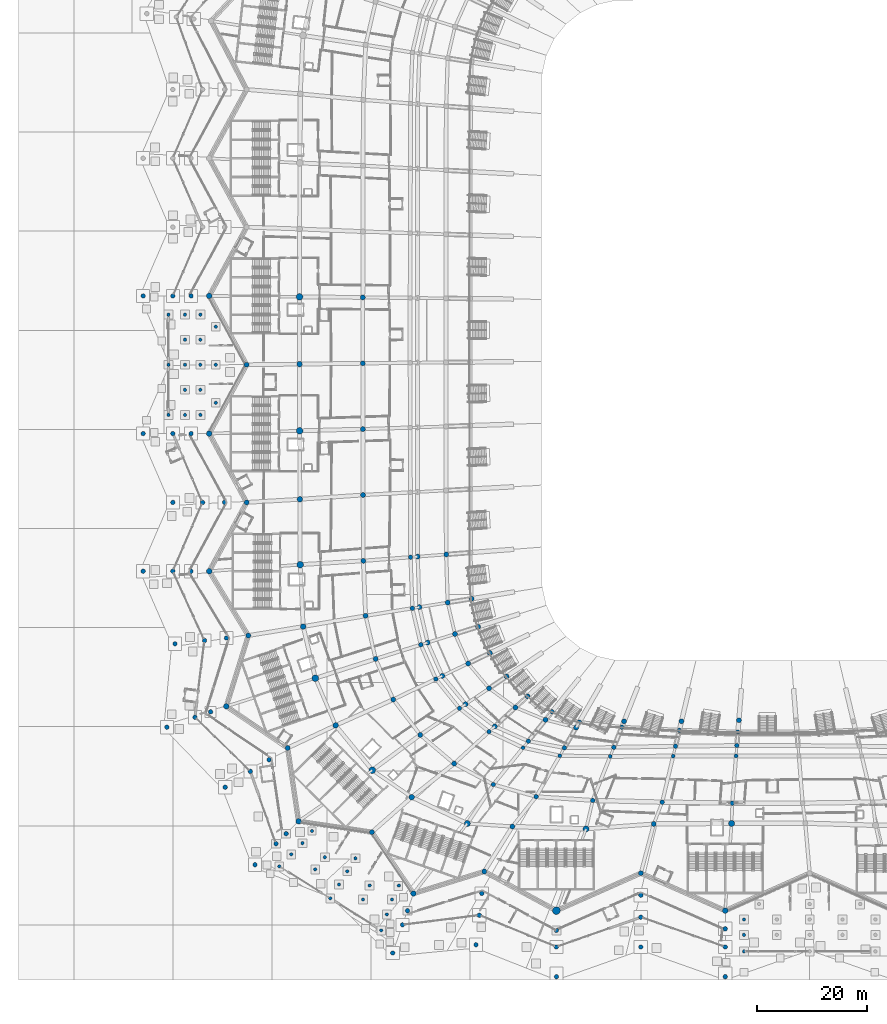
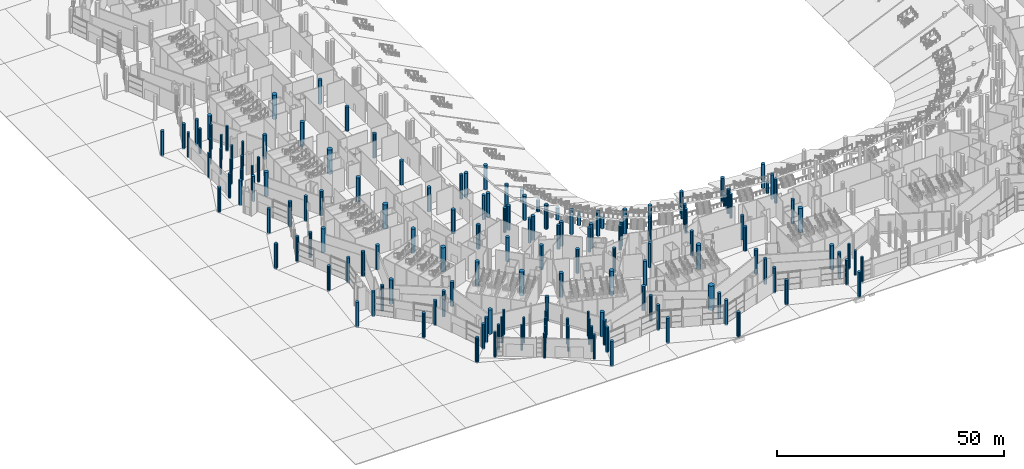
# One storey, part 10 of 255: 162 columns.
"""IFC4 building model written with IfcOpenShell, lengths in metres."""

from ifc_helpers import new_model, si_unit, direction, frame, origin, origin_2d, place, context, subcontext, project, spatial, circle, extrude, material, material_profile, profile_set, type_object, element, save


model = new_model("IFC4")

# Units and contexts
model_context = context("Model", 3, precision=1e-05, world=origin(), true_north=direction((0.0, 1.0)))
body_context = subcontext(model_context, "Body", "Model", "MODEL_VIEW")
ifc_project = project(units=[si_unit("LENGTHUNIT", "METRE"), si_unit("AREAUNIT", "SQUARE_METRE"), si_unit("VOLUMEUNIT", "CUBIC_METRE"), si_unit("PLANEANGLEUNIT", "RADIAN"), si_unit("MASSUNIT", "GRAM", prefix="KILO")], contexts=[model_context])

# Site, building, storey
site_placement = place(None, origin())
site = spatial("IfcSite", under=ifc_project, at=site_placement, CompositionType="ELEMENT")
building_placement = place(site_placement, origin())
building = spatial("IfcBuilding", under=site, at=building_placement, Name="Meseta Stadium", CompositionType="ELEMENT")
storey_placement = place(building_placement, origin())
storey = spatial("IfcBuildingStorey", under=building, at=storey_placement, Name="L00", CompositionType="ELEMENT", Elevation=0.0)

# Columns
ifc_material_1 = material(Name="Concrete C40/50", Category="concrete")
ifc_material_profile_1 = material_profile(ifc_material_1, circle(Radius=0.300048828125, at=origin_2d()), Name="RC D600")
ifc_profile_set_1 = profile_set([ifc_material_profile_1], Name="Concrete C40/50")
column_type_1 = type_object("IfcColumnType", Name="Gate column D600", PredefinedType="COLUMN", material=ifc_profile_set_1)
for number, where, z_axis, x_axis, name in (
    (1, (-100.199951171875, 0.66748046875, -0.300048828125), (0.0, 0.0, 1.0), (1.0, 0.0, 0.0), "Gate 5 column L00"),
    (2, (-100.199951171875, -6.25, -0.300048828125), (0.0, 0.0, 1.0), (1.0, 0.0, 0.0), "Gate 5 column L00"),
    (3, (-100.199951171875, -13.16748046875, -0.300048828125), (0.0, 0.0, 1.0), (1.0, 0.0, 0.0), "Gate 5 column L00"),
    (4, (-103.0, 2.85009765625, -0.300048828125), (0.0, 0.0, 1.0), (1.0, 0.0, 0.0), "Gate 5 column L00"),
    (5, (-103.0, -1.699951171875, -0.300048828125), (0.0, 0.0, 1.0), (1.0, 0.0, 0.0), "Gate 5 column L00"),
    (6, (-103.0, -6.25, -0.300048828125), (0.0, 0.0, 1.0), (1.0, 0.0, 0.0), "Gate 5 column L00"),
    (7, (-103.0, -10.800048828125, -0.300048828125), (0.0, 0.0, 1.0), (1.0, 0.0, 0.0), "Gate 5 column L00"),
    (8, (-103.0, -15.35009765625, -0.300048828125), (0.0, 0.0, 1.0), (1.0, 0.0, 0.0), "Gate 5 column L00"),
    (9, (-105.800048828125, 2.85009765625, -0.300048828125), (0.0, 0.0, 1.0), (1.0, 0.0, 0.0), "Gate 5 column L00"),
    (10, (-105.800048828125, -1.699951171875, -0.300048828125), (0.0, 0.0, 1.0), (1.0, 0.0, 0.0), "Gate 5 column L00"),
    (11, (-105.800048828125, -6.25, -0.300048828125), (0.0, 0.0, 1.0), (1.0, 0.0, 0.0), "Gate 5 column L00"),
    (12, (-105.800048828125, -10.800048828125, -0.300048828125), (0.0, 0.0, 1.0), (1.0, 0.0, 0.0), "Gate 5 column L00"),
    (13, (-105.800048828125, -15.35009765625, -0.300048828125), (0.0, 0.0, 1.0), (1.0, 0.0, 0.0), "Gate 5 column L00"),
    (14, (-108.800048828125, 2.85009765625, -0.300048828125), (0.0, 0.0, 1.0), (1.0, 0.0, 0.0), "Gate 5 column L00"),
    (15, (-108.800048828125, -6.25, -0.300048828125), (0.0, 0.0, 1.0), (1.0, 0.0, 0.0), "Gate 5 column L00"),
    (16, (-108.800048828125, -15.35009765625, -0.300048828125), (0.0, 0.0, 1.0), (1.0, 0.0, 0.0), "Gate 5 column L00"),
    (17, (-82.719482421875, -90.93896484375, -0.300048828125), (0.0, 0.0, 1.0), (1.0, 0.0, 0.0), "Gate 6 column L00"),
    (18, (-74.836181640625, -95.892578125, -0.300048828125), (0.0, 0.0, 1.0), (1.0, 0.0, 0.0), "Gate 6 column L00"),
    (19, (-66.952880859375, -100.845947265625, -0.300048828125), (0.0, 0.0, 1.0), (1.0, 0.0, 0.0), "Gate 6 column L00"),
    (20, (-84.462646484375, -93.150390625, -0.300048828125), (0.0, 0.0, 1.0), (1.0, 0.0, 0.0), "Gate 6 column L00"),
    (21, (-80.394287109375, -95.706787109375, -0.300048828125), (0.0, 0.0, 1.0), (1.0, 0.0, 0.0), "Gate 6 column L00"),
    (22, (-76.32568359375, -98.26318359375, -0.300048828125), (0.0, 0.0, 1.0), (1.0, 0.0, 0.0), "Gate 6 column L00"),
    (23, (-72.25732421875, -100.819580078125, -0.300048828125), (0.0, 0.0, 1.0), (1.0, 0.0, 0.0), "Gate 6 column L00"),
    (24, (-68.18896484375, -103.3759765625, -0.300048828125), (0.0, 0.0, 1.0), (1.0, 0.0, 0.0), "Gate 6 column L00"),
    (25, (-86.49365234375, -95.181396484375, -0.300048828125), (0.0, 0.0, 1.0), (1.0, 0.0, 0.0), "Gate 6 column L00"),
    (26, (-82.154541015625, -97.90771484375, -0.300048828125), (0.0, 0.0, 1.0), (1.0, 0.0, 0.0), "Gate 6 column L00"),
    (27, (-77.8154296875, -100.634033203125, -0.300048828125), (0.0, 0.0, 1.0), (1.0, 0.0, 0.0), "Gate 6 column L00"),
    (28, (-73.4765625, -103.360595703125, -0.300048828125), (0.0, 0.0, 1.0), (1.0, 0.0, 0.0), "Gate 6 column L00"),
    (29, (-69.137451171875, -106.0869140625, -0.300048828125), (0.0, 0.0, 1.0), (1.0, 0.0, 0.0), "Gate 6 column L00"),
    (30, (-88.66943359375, -97.357177734375, -0.300048828125), (0.0, 0.0, 1.0), (1.0, 0.0, 0.0), "Gate 6 column L00"),
    (31, (-79.41162109375, -103.17431640625, -0.300048828125), (0.0, 0.0, 1.0), (1.0, 0.0, 0.0), "Gate 6 column L00"),
    (32, (-70.15380859375, -108.991455078125, -0.300048828125), (0.0, 0.0, 1.0), (1.0, 0.0, 0.0), "Gate 6 column L00"),
    (33, (-4.2666015625, -107.0, -0.300048828125), (0.0, 0.0, 1.0), (1.0, 0.0, 0.0), "Gate 7 column L00"),
    (34, (-4.2666015625, -109.800048828125, -0.300048828125), (0.0, 0.0, 1.0), (1.0, 0.0, 0.0), "Gate 7 column L00"),
    (35, (-4.2666015625, -112.800048828125, -0.300048828125), (0.0, 0.0, 1.0), (1.0, 0.0, 0.0), "Gate 7 column L00"),
):
    element("IfcColumn", number, at=place(storey_placement, frame(where, z_axis=z_axis, x_axis=x_axis)), inside=storey, type_object=column_type_1, Name=name, PredefinedType="COLUMN", context=body_context, shape_type="SweptSolid", body=[
        extrude(circle(Radius=0.300048828125, at=origin_2d()), origin(), (0.0, 0.0, 1.0), 6.800048828125),
    ])
ifc_material_2 = material(Name="Concrete C40/50", Category="concrete")
ifc_material_profile_2 = material_profile(ifc_material_2, circle(Radius=0.5, at=origin_2d()), Name="RC D1000")
ifc_profile_set_2 = profile_set([ifc_material_profile_2], Name="Concrete C40/50")
column_type_2 = type_object("IfcColumnType", Name="RC column D1000", PredefinedType="COLUMN", material=ifc_profile_set_2)
for number, where, z_axis, x_axis, name in (
    (36, (-101.39990234375, 6.25, 0.0), (0.0, 0.0, 1.0), (1.0, 0.0, 0.0), "Column C10 L00 frame 32 line R"),
    (37, (-84.9970703125, -6.13720703125, 0.0), (0.0, 0.0, 1.0), (1.0, 0.0, 0.0), "Column C10 L00 frame 33 line P"),
    (38, (-101.39990234375, -18.75, 0.0), (0.0, 0.0, 1.0), (1.0, 0.0, 0.0), "Column C10 L00 frame 34 line R"),
    (39, (-84.92529296875, -30.681640625, 0.0), (0.0, 0.0, 1.0), (1.0, 0.0, 0.0), "Column C10 L00 frame 35 line P"),
    (40, (-101.39990234375, -43.75, 0.0), (0.0, 0.0, 1.0), (1.0, 0.0, 0.0), "Column C10 L00 frame 36 line R"),
    (41, (-84.3251953125, -53.801513671875, 0.0), (0.0, 0.0, 1.0), (1.0, 0.0, 0.0), "Column C10 L00 frame 37 line P"),
    (42, (-98.291015625, -68.29736328125, 0.0), (0.0, 0.0, 1.0), (1.0, 0.0, 0.0), "Column C10 L00 frame 38 line R"),
    (43, (-78.4453125, -71.756103515625, 0.0), (0.0, 0.0, 1.0), (1.0, 0.0, 0.0), "Column C10 L00 frame 39 line P"),
    (44, (-85.173828125, -89.173828125, 0.0), (0.0, 0.0, 1.0), (1.0, 0.0, 0.0), "Column C10 L00 frame 40 line R"),
    (45, (-64.6220703125, -84.79248046875, 0.0), (0.0, 0.0, 1.0), (1.0, 0.0, 0.0), "Column C10 L00 frame 41 line P"),
    (46, (-64.29736328125, -102.291015625, 0.0), (0.0, 0.0, 1.0), (1.0, 0.0, 0.0), "Column C10 L00 frame 42 line R"),
    (47, (-7.666748046875, -105.39990234375, 0.0), (0.0, 0.0, 1.0), (1.0, 0.0, 0.0), "Column C10 L00 frame 46 line R"),
):
    element("IfcColumn", number, at=place(storey_placement, frame(where, z_axis=z_axis, x_axis=x_axis)), inside=storey, type_object=column_type_2, Name=name, PredefinedType="COLUMN", context=body_context, shape_type="SweptSolid", body=[
        extrude(circle(Radius=0.5, at=origin_2d()), origin(), (0.0, 0.0, 1.0), 6.5),
    ])
ifc_material_3 = material(Name="Concrete C40/50", Category="concrete")
ifc_material_profile_3 = material_profile(ifc_material_3, circle(Radius=0.550048828125, at=origin_2d()), Name="RC D1100")
ifc_profile_set_3 = profile_set([ifc_material_profile_3], Name="Concrete C40/50")
column_type_3 = type_object("IfcColumnType", Name="RC column D1100", PredefinedType="COLUMN", material=ifc_profile_set_3)
for number, where, z_axis, x_axis, name in (
    (48, (-54.523193359375, -89.579345703125, 0.0), (0.0, 0.0, 1.0), (1.0, 0.0, 0.0), "Column C11 L00 frame 42 line P"),
    (49, (-32.944091796875, -90.551025390625, 0.0), (0.0, 0.0, 1.0), (1.0, 0.0, 0.0), "Column C11 L00 frame 44 line P"),
    (50, (-6.51708984375, -89.54638671875, 0.0), (0.0, 0.0, 1.0), (1.0, 0.0, 0.0), "Column C11 L00 frame 46 line P"),
):
    element("IfcColumn", number, at=place(storey_placement, frame(where, z_axis=z_axis, x_axis=x_axis)), inside=storey, type_object=column_type_3, Name=name, PredefinedType="COLUMN", context=body_context, shape_type="SweptSolid", body=[
        extrude(circle(Radius=0.550048828125, at=origin_2d()), origin(), (0.0, 0.0, 1.0), 6.5),
    ])
ifc_material_4 = material(Name="Concrete C40/50", Category="concrete")
ifc_material_profile_4 = material_profile(ifc_material_4, circle(Radius=0.60009765625, at=origin_2d()), Name="RC D1200")
ifc_profile_set_4 = profile_set([ifc_material_profile_4], Name="Concrete C40/50")
column_type_4 = type_object("IfcColumnType", Name="RC column D1200", PredefinedType="COLUMN", material=ifc_profile_set_4)
for number, where, z_axis, x_axis, name in (
    (51, (-84.99755859375, 6.081298828125, 0.0), (0.0, 0.0, 1.0), (1.0, 0.0, 0.0), "Column C12 L00 frame 32 line P"),
    (52, (-84.978515625, -18.24365234375, 0.0), (0.0, 0.0, 1.0), (1.0, 0.0, 0.0), "Column C12 L00 frame 34 line P"),
    (53, (-84.884033203125, -42.5615234375, 0.0), (0.0, 0.0, 1.0), (1.0, 0.0, 0.0), "Column C12 L00 frame 36 line P"),
    (54, (-82.119873046875, -63.191162109375, 0.0), (0.0, 0.0, 1.0), (1.0, 0.0, 0.0), "Column C12 L00 frame 38 line P"),
    (55, (-71.775390625, -79.888916015625, 0.0), (0.0, 0.0, 1.0), (1.0, 0.0, 0.0), "Column C12 L00 frame 40 line P"),
):
    element("IfcColumn", number, at=place(storey_placement, frame(where, z_axis=z_axis, x_axis=x_axis)), inside=storey, type_object=column_type_4, Name=name, PredefinedType="COLUMN", context=body_context, shape_type="SweptSolid", body=[
        extrude(circle(Radius=0.60009765625, at=origin_2d()), origin(), (0.0, 0.0, 1.0), 6.5),
    ])
ifc_material_5 = material(Name="Concrete C40/50", Category="concrete")
ifc_material_profile_5 = material_profile(ifc_material_5, circle(Radius=0.699951171875, at=origin_2d()), Name="RC D1400")
ifc_profile_set_5 = profile_set([ifc_material_profile_5], Name="Concrete C40/50")
column_type_5 = type_object("IfcColumnType", Name="RC column D1400", PredefinedType="COLUMN", material=ifc_profile_set_5)
column_1_placement = place(storey_placement, frame((-38.333251953125, -105.39990234375, 0.0), z_axis=(0.0, 0.0, 1.0), x_axis=(1.0, 0.0, 0.0)))
element("IfcColumn", 56, at=column_1_placement, inside=storey, type_object=column_type_5, Name="Column C14 L00 frame 44 line R", PredefinedType="COLUMN", context=body_context, shape_type="SweptSolid", body=[
    extrude(circle(Radius=0.699951171875, at=origin_2d()), origin(), (0.0, 0.0, 1.0), 6.5),
])
ifc_material_6 = material(Name="Concrete C40/50", Category="concrete")
ifc_material_profile_6 = material_profile(ifc_material_6, circle(Radius=0.35009765625, at=origin_2d()), Name="RC D700")
ifc_profile_set_6 = profile_set([ifc_material_profile_6], Name="Concrete C40/50")
column_type_6 = type_object("IfcColumnType", Name="RC column D700", PredefinedType="COLUMN", material=ifc_profile_set_6)
for number, where, z_axis, x_axis, name in (
    (57, (-44.39013671875, -75.806396484375, 0.0), (0.0, 0.0, 1.0), (1.0, 0.0, 0.0), "Column C7 L00 frame 42 line D"),
    (58, (-37.711669921875, -77.26171875, 0.0), (0.0, 0.0, 1.0), (1.0, 0.0, 0.0), "Column C7 L00 frame 43 line D"),
    (59, (-28.564697265625, -77.38330078125, 0.0), (0.0, 0.0, 1.0), (1.0, 0.0, 0.0), "Column C7 L00 frame 44 line D"),
    (60, (-17.126708984375, -77.33203125, 0.0), (0.0, 0.0, 1.0), (1.0, 0.0, 0.0), "Column C7 L00 frame 45 line D"),
    (61, (-5.70654296875, -77.3037109375, 0.0), (0.0, 0.0, 1.0), (1.0, 0.0, 0.0), "Column C7 L00 frame 46 line D"),
):
    element("IfcColumn", number, at=place(storey_placement, frame(where, z_axis=z_axis, x_axis=x_axis)), inside=storey, type_object=column_type_6, Name=name, PredefinedType="COLUMN", context=body_context, shape_type="SweptSolid", body=[
        extrude(circle(Radius=0.35009765625, at=origin_2d()), origin(), (0.0, 0.0, 1.0), 6.5),
    ])
ifc_material_7 = material(Name="Concrete C40/50", Category="concrete")
ifc_material_profile_7 = material_profile(ifc_material_7, circle(Radius=0.39990234375, at=origin_2d()), Name="RC D800")
ifc_profile_set_7 = profile_set([ifc_material_profile_7], Name="Concrete C40/50")
column_type_7 = type_object("IfcColumnType", Name="RC column D800", PredefinedType="COLUMN", material=ifc_profile_set_7)
for number, where, z_axis, x_axis, name in (
    (62, (-64.829833984375, -41.2041015625, 0.0), (0.0, 0.0, 1.0), (1.0, 0.0, 0.0), "Column C8 L00 frame 36 line D"),
    (63, (-64.501708984375, -50.479736328125, 0.0), (0.0, 0.0, 1.0), (1.0, 0.0, 0.0), "Column C8 L00 frame 37 line D"),
    (64, (-62.963623046875, -57.1044921875, 0.0), (0.0, 0.0, 1.0), (1.0, 0.0, 0.0), "Column C8 L00 frame 38 line D"),
    (65, (-60.22216796875, -63.33056640625, 0.0), (0.0, 0.0, 1.0), (1.0, 0.0, 0.0), "Column C8 L00 frame 39 line D"),
    (66, (-55.940185546875, -68.657958984375, 0.0), (0.0, 0.0, 1.0), (1.0, 0.0, 0.0), "Column C8 L00 frame 40 line D"),
    (67, (-50.571533203125, -72.888671875, 0.0), (0.0, 0.0, 1.0), (1.0, 0.0, 0.0), "Column C8 L00 frame 41 line D"),
):
    element("IfcColumn", number, at=place(storey_placement, frame(where, z_axis=z_axis, x_axis=x_axis)), inside=storey, type_object=column_type_7, Name=name, PredefinedType="COLUMN", context=body_context, shape_type="SweptSolid", body=[
        extrude(circle(Radius=0.39990234375, at=origin_2d()), origin(), (0.0, 0.0, 1.0), 6.5),
    ])
column_2_placement = place(storey_placement, frame((-39.11865234375, -69.274658203125, 0.0), z_axis=(0.0, 0.0, 1.0), x_axis=(1.0, 0.0, 0.0)))
element("IfcColumn", 68, at=column_2_placement, inside=storey, type_object=column_type_7, Name="Column C8 L00 frame 42 line B", PredefinedType="COLUMN", context=body_context, shape_type="SweptSolid", body=[
    extrude(circle(Radius=0.39990234375, at=origin_2d()), origin(), (0.0, 0.0, 1.0), 3.234130859375),
])
for number, where, z_axis, x_axis, name in (
    (69, (-43.430419921875, -74.617431640625, 0.0), (0.0, 0.0, 1.0), (1.0, 0.0, 0.0), "Column C8 L00 frame 42 line C"),
    (70, (-49.791259765625, -82.498779296875, 0.0), (0.0, 0.0, 1.0), (1.0, 0.0, 0.0), "Column C8 L00 frame 42 line E"),
):
    element("IfcColumn", number, at=place(storey_placement, frame(where, z_axis=z_axis, x_axis=x_axis)), inside=storey, type_object=column_type_7, Name=name, PredefinedType="COLUMN", context=body_context, shape_type="SweptSolid", body=[
        extrude(circle(Radius=0.39990234375, at=origin_2d()), origin(), (0.0, 0.0, 1.0), 6.5),
    ])
column_3_placement = place(storey_placement, frame((-34.185302734375, -71.16064453125, 0.0), z_axis=(0.0, 0.0, 1.0), x_axis=(1.0, 0.0, 0.0)))
element("IfcColumn", 71, at=column_3_placement, inside=storey, type_object=column_type_7, Name="Column C8 L00 frame 43 line B", PredefinedType="COLUMN", context=body_context, shape_type="SweptSolid", body=[
    extrude(circle(Radius=0.39990234375, at=origin_2d()), origin(), (0.0, 0.0, 1.0), 3.56884765625),
])
for number, where, z_axis, x_axis, name in (
    (72, (-36.8857421875, -75.8330078125, 0.0), (0.0, 0.0, 1.0), (1.0, 0.0, 0.0), "Column C8 L00 frame 43 line C"),
    (73, (-42.015625, -84.707275390625, 0.0), (0.0, 0.0, 1.0), (1.0, 0.0, 0.0), "Column C8 L00 frame 43 line E"),
):
    element("IfcColumn", number, at=place(storey_placement, frame(where, z_axis=z_axis, x_axis=x_axis)), inside=storey, type_object=column_type_7, Name=name, PredefinedType="COLUMN", context=body_context, shape_type="SweptSolid", body=[
        extrude(circle(Radius=0.39990234375, at=origin_2d()), origin(), (0.0, 0.0, 1.0), 6.5),
    ])
column_4_placement = place(storey_placement, frame((-26.461669921875, -72.08349609375, 0.0), z_axis=(0.0, 0.0, 1.0), x_axis=(1.0, 0.0, 0.0)))
element("IfcColumn", 74, at=column_4_placement, inside=storey, type_object=column_type_7, Name="Column C8 L00 frame 44 line B", PredefinedType="COLUMN", context=body_context, shape_type="SweptSolid", body=[
    extrude(circle(Radius=0.39990234375, at=origin_2d()), origin(), (0.0, 0.0, 1.0), 3.587646484375),
])
for number, where, z_axis, x_axis, name in (
    (75, (-27.910888671875, -75.735595703125, 0.0), (0.0, 0.0, 1.0), (1.0, 0.0, 0.0), "Column C8 L00 frame 44 line C"),
    (76, (-31.73681640625, -85.376708984375, 0.0), (0.0, 0.0, 1.0), (1.0, 0.0, 0.0), "Column C8 L00 frame 44 line E"),
):
    element("IfcColumn", number, at=place(storey_placement, frame(where, z_axis=z_axis, x_axis=x_axis)), inside=storey, type_object=column_type_7, Name=name, PredefinedType="COLUMN", context=body_context, shape_type="SweptSolid", body=[
        extrude(circle(Radius=0.39990234375, at=origin_2d()), origin(), (0.0, 0.0, 1.0), 6.5),
    ])
column_5_placement = place(storey_placement, frame((-16.010986328125, -72.646484375, 0.0), z_axis=(0.0, 0.0, 1.0), x_axis=(1.0, 0.0, 0.0)))
element("IfcColumn", 77, at=column_5_placement, inside=storey, type_object=column_type_7, Name="Column C8 L00 frame 45 line B", PredefinedType="COLUMN", context=body_context, shape_type="SweptSolid", body=[
    extrude(circle(Radius=0.39990234375, at=origin_2d()), origin(), (0.0, 0.0, 1.0), 3.262451171875),
])
for number, where, z_axis, x_axis, name in (
    (78, (-16.697509765625, -75.529541015625, 0.0), (0.0, 0.0, 1.0), (1.0, 0.0, 0.0), "Column C8 L00 frame 45 line C"),
    (79, (-19.11865234375, -85.6982421875, 0.0), (0.0, 0.0, 1.0), (1.0, 0.0, 0.0), "Column C8 L00 frame 45 line E"),
):
    element("IfcColumn", number, at=place(storey_placement, frame(where, z_axis=z_axis, x_axis=x_axis)), inside=storey, type_object=column_type_7, Name=name, PredefinedType="COLUMN", context=body_context, shape_type="SweptSolid", body=[
        extrude(circle(Radius=0.39990234375, at=origin_2d()), origin(), (0.0, 0.0, 1.0), 6.5),
    ])
column_6_placement = place(storey_placement, frame((-5.36181640625, -72.959228515625, 0.0), z_axis=(0.0, 0.0, 1.0), x_axis=(1.0, 0.0, 0.0)))
element("IfcColumn", 80, at=column_6_placement, inside=storey, type_object=column_type_7, Name="Column C8 L00 frame 46 line B", PredefinedType="COLUMN", context=body_context, shape_type="SweptSolid", body=[
    extrude(circle(Radius=0.39990234375, at=origin_2d()), origin(), (0.0, 0.0, 1.0), 2.91455078125),
])
for number, where, z_axis, x_axis, name in (
    (81, (-5.556640625, -75.4150390625, 0.0), (0.0, 0.0, 1.0), (1.0, 0.0, 0.0), "Column C8 L00 frame 46 line C"),
    (82, (-6.386962890625, -85.876708984375, 0.0), (0.0, 0.0, 1.0), (1.0, 0.0, 0.0), "Column C8 L00 frame 46 line E"),
):
    element("IfcColumn", number, at=place(storey_placement, frame(where, z_axis=z_axis, x_axis=x_axis)), inside=storey, type_object=column_type_7, Name=name, PredefinedType="COLUMN", context=body_context, shape_type="SweptSolid", body=[
        extrude(circle(Radius=0.39990234375, at=origin_2d()), origin(), (0.0, 0.0, 1.0), 6.5),
    ])
for number, where, z_axis, x_axis, name in (
    (83, (-104.699951171875, 6.25, -0.300048828125), (0.0, 0.0, 1.0), (1.0, 0.0, 0.0), "Ring column C8 L00 frame 32 line M"),
    (84, (-108.0, 6.25, -0.300048828125), (0.0, 0.0, 1.0), (1.0, 0.0, 0.0), "Ring column C8 L00 frame 32 line Q"),
    (85, (-113.39990234375, 6.25, -0.300048828125), (0.0, 0.0, 1.0), (1.0, 0.0, 0.0), "Ring column C8 L00 frame 32 line O"),
    (86, (-104.699951171875, -18.75, -0.300048828125), (0.0, 0.0, 1.0), (1.0, 0.0, 0.0), "Ring column C8 L00 frame 34 line M"),
    (87, (-108.0, -18.75, -0.300048828125), (0.0, 0.0, 1.0), (1.0, 0.0, 0.0), "Ring column C8 L00 frame 34 line Q"),
    (88, (-113.39990234375, -18.75, -0.300048828125), (0.0, 0.0, 1.0), (1.0, 0.0, 0.0), "Ring column C8 L00 frame 34 line O"),
    (89, (-98.60009765625, -31.25, -0.300048828125), (0.0, 0.0, 1.0), (1.0, 0.0, 0.0), "Ring column C8 L00 frame 35 line M"),
    (90, (-102.60009765625, -31.25, -0.300048828125), (0.0, 0.0, 1.0), (1.0, 0.0, 0.0), "Ring column C8 L00 frame 35 line Q"),
    (91, (-108.0, -31.25, -0.300048828125), (0.0, 0.0, 1.0), (1.0, 0.0, 0.0), "Ring column C8 L00 frame 35 line O"),
    (92, (-104.699951171875, -43.75, -0.300048828125), (0.0, 0.0, 1.0), (1.0, 0.0, 0.0), "Ring column C8 L00 frame 36 line M"),
    (93, (-108.0, -43.75, -0.300048828125), (0.0, 0.0, 1.0), (1.0, 0.0, 0.0), "Ring column C8 L00 frame 36 line Q"),
    (94, (-113.39990234375, -43.75, -0.300048828125), (0.0, 0.0, 1.0), (1.0, 0.0, 0.0), "Ring column C8 L00 frame 36 line O"),
    (95, (-98.269287109375, -55.889404296875, -0.300048828125), (0.0, 0.0, 1.0), (1.0, 0.0, 0.0), "Ring column C8 L00 frame 37 line M"),
    (96, (-102.244140625, -56.337158203125, -0.300048828125), (0.0, 0.0, 1.0), (1.0, 0.0, 0.0), "Ring column C8 L00 frame 37 line Q"),
    (97, (-107.610107421875, -56.94189453125, -0.300048828125), (0.0, 0.0, 1.0), (1.0, 0.0, 0.0), "Ring column C8 L00 frame 37 line O"),
    (98, (-101.140380859375, -69.29443359375, -0.300048828125), (0.0, 0.0, 1.0), (1.0, 0.0, 0.0), "Ring column C8 L00 frame 38 line M"),
    (99, (-103.989990234375, -70.29150390625, -0.300048828125), (0.0, 0.0, 1.0), (1.0, 0.0, 0.0), "Ring column C8 L00 frame 38 line Q"),
    (100, (-109.0869140625, -72.0751953125, -0.300048828125), (0.0, 0.0, 1.0), (1.0, 0.0, 0.0), "Ring column C8 L00 frame 38 line O"),
    (101, (-90.53759765625, -77.98486328125, -0.300048828125), (0.0, 0.0, 1.0), (1.0, 0.0, 0.0), "Ring column C8 L00 frame 39 line M"),
    (102, (-93.924560546875, -80.113037109375, -0.300048828125), (0.0, 0.0, 1.0), (1.0, 0.0, 0.0), "Ring column C8 L00 frame 39 line Q"),
    (103, (-98.496826171875, -82.986083984375, -0.300048828125), (0.0, 0.0, 1.0), (1.0, 0.0, 0.0), "Ring column C8 L00 frame 39 line O"),
    (104, (-87.426513671875, -91.426513671875, -0.300048828125), (0.0, 0.0, 1.0), (1.0, 0.0, 0.0), "Ring column C8 L00 frame 40 line M"),
    (105, (-89.2548828125, -93.2548828125, -0.300048828125), (0.0, 0.0, 1.0), (1.0, 0.0, 0.0), "Ring column C8 L00 frame 40 line Q"),
    (106, (-93.0732421875, -97.0732421875, -0.300048828125), (0.0, 0.0, 1.0), (1.0, 0.0, 0.0), "Ring column C8 L00 frame 40 line O"),
    (107, (-65.3935546875, -105.423583984375, -0.300048828125), (0.0, 0.0, 1.0), (1.0, 0.0, 0.0), "Ring column C8 L00 frame 42 line M"),
    (108, (-66.29150390625, -107.989990234375, -0.300048828125), (0.0, 0.0, 1.0), (1.0, 0.0, 0.0), "Ring column C8 L00 frame 42 line Q"),
    (109, (-68.0751953125, -113.0869140625, -0.300048828125), (0.0, 0.0, 1.0), (1.0, 0.0, 0.0), "Ring column C8 L00 frame 42 line O"),
    (110, (-51.889404296875, -102.269287109375, -0.300048828125), (0.0, 0.0, 1.0), (1.0, 0.0, 0.0), "Ring column C8 L00 frame 43 line M"),
    (111, (-52.337158203125, -106.244140625, -0.300048828125), (0.0, 0.0, 1.0), (1.0, 0.0, 0.0), "Ring column C8 L00 frame 43 line Q"),
    (112, (-52.94189453125, -111.610107421875, -0.300048828125), (0.0, 0.0, 1.0), (1.0, 0.0, 0.0), "Ring column C8 L00 frame 43 line O"),
    (113, (-38.333251953125, -109.0, -0.300048828125), (0.0, 0.0, 1.0), (1.0, 0.0, 0.0), "Ring column C8 L00 frame 44 line M"),
    (114, (-38.333251953125, -112.0, -0.300048828125), (0.0, 0.0, 1.0), (1.0, 0.0, 0.0), "Ring column C8 L00 frame 44 line Q"),
    (115, (-38.333251953125, -117.39990234375, -0.300048828125), (0.0, 0.0, 1.0), (1.0, 0.0, 0.0), "Ring column C8 L00 frame 44 line O"),
    (116, (-23.0, -102.60009765625, -0.300048828125), (0.0, 0.0, 1.0), (1.0, 0.0, 0.0), "Ring column C8 L00 frame 45 line M"),
    (117, (-23.0, -106.60009765625, -0.300048828125), (0.0, 0.0, 1.0), (1.0, 0.0, 0.0), "Ring column C8 L00 frame 45 line Q"),
    (118, (-23.0, -112.0, -0.300048828125), (0.0, 0.0, 1.0), (1.0, 0.0, 0.0), "Ring column C8 L00 frame 45 line O"),
    (119, (-7.666748046875, -108.699951171875, -0.300048828125), (0.0, 0.0, 1.0), (1.0, 0.0, 0.0), "Ring column C8 L00 frame 46 line M"),
    (120, (-7.666748046875, -112.0, -0.300048828125), (0.0, 0.0, 1.0), (1.0, 0.0, 0.0), "Ring column C8 L00 frame 46 line Q"),
    (121, (-7.666748046875, -117.39990234375, -0.300048828125), (0.0, 0.0, 1.0), (1.0, 0.0, 0.0), "Ring column C8 L00 frame 46 line O"),
):
    element("IfcColumn", number, at=place(storey_placement, frame(where, z_axis=z_axis, x_axis=x_axis)), inside=storey, type_object=column_type_7, Name=name, PredefinedType="COLUMN", context=body_context, shape_type="SweptSolid", body=[
        extrude(circle(Radius=0.39990234375, at=origin_2d()), origin(), (0.0, 0.0, 1.0), 6.800048828125),
    ])
ifc_material_8 = material(Name="Concrete C40/50", Category="concrete")
ifc_material_profile_8 = material_profile(ifc_material_8, circle(Radius=0.449951171875, at=origin_2d()), Name="RC D900")
ifc_profile_set_8 = profile_set([ifc_material_profile_8], Name="Concrete C40/50")
column_type_8 = type_object("IfcColumnType", Name="RC column D900", PredefinedType="COLUMN", material=ifc_profile_set_8)
for number, where, z_axis, x_axis, name in (
    (122, (-73.498046875, 5.9814453125, 0.0), (0.0, 0.0, 1.0), (1.0, 0.0, 0.0), "Column C9 L00 frame 32 line E"),
    (123, (-73.498046875, -5.9814453125, 0.0), (0.0, 0.0, 1.0), (1.0, 0.0, 0.0), "Column C9 L00 frame 33 line E"),
    (124, (-94.60009765625, -6.25, 0.0), (0.0, 0.0, 1.0), (1.0, 0.0, 0.0), "Column C9 L00 frame 33 line R"),
    (125, (-73.482421875, -17.943603515625, 0.0), (0.0, 0.0, 1.0), (1.0, 0.0, 0.0), "Column C9 L00 frame 34 line E"),
    (126, (-73.451171875, -29.904052734375, 0.0), (0.0, 0.0, 1.0), (1.0, 0.0, 0.0), "Column C9 L00 frame 35 line E"),
    (127, (-94.60009765625, -31.25, 0.0), (0.0, 0.0, 1.0), (1.0, 0.0, 0.0), "Column C9 L00 frame 35 line R"),
    (128, (-58.348876953125, -40.70654296875, 0.0), (0.0, 0.0, 1.0), (1.0, 0.0, 0.0), "Column C9 L00 frame 36 line U"),
    (129, (-63.53369140625, -41.1044921875, 0.0), (0.0, 0.0, 1.0), (1.0, 0.0, 0.0), "Column C9 L00 frame 36 line C"),
    (130, (-73.40478515625, -41.8623046875, 0.0), (0.0, 0.0, 1.0), (1.0, 0.0, 0.0), "Column C9 L00 frame 36 line E"),
):
    element("IfcColumn", number, at=place(storey_placement, frame(where, z_axis=z_axis, x_axis=x_axis)), inside=storey, type_object=column_type_8, Name=name, PredefinedType="COLUMN", context=body_context, shape_type="SweptSolid", body=[
        extrude(circle(Radius=0.449951171875, at=origin_2d()), origin(), (0.0, 0.0, 1.0), 6.5),
    ])
column_7_placement = place(storey_placement, frame((-53.740234375, -48.74658203125, 0.0), z_axis=(0.0, 0.0, 1.0), x_axis=(1.0, 0.0, 0.0)))
element("IfcColumn", 131, at=column_7_placement, inside=storey, type_object=column_type_8, Name="Column C9 L00 frame 37 line B", PredefinedType="COLUMN", context=body_context, shape_type="SweptSolid", body=[
    extrude(circle(Radius=0.449951171875, at=origin_2d()), origin(), (0.0, 0.0, 1.0), 3.1513671875),
])
for number, where, z_axis, x_axis, name in (
    (132, (-58.084228515625, -49.4462890625, 0.0), (0.0, 0.0, 1.0), (1.0, 0.0, 0.0), "Column C9 L00 frame 37 line U"),
    (133, (-63.21826171875, -50.27294921875, 0.0), (0.0, 0.0, 1.0), (1.0, 0.0, 0.0), "Column C9 L00 frame 37 line C"),
    (134, (-72.9921875, -51.84716796875, 0.0), (0.0, 0.0, 1.0), (1.0, 0.0, 0.0), "Column C9 L00 frame 37 line E"),
    (135, (-94.29443359375, -55.44140625, 0.0), (0.0, 0.0, 1.0), (1.0, 0.0, 0.0), "Column C9 L00 frame 37 line R"),
):
    element("IfcColumn", number, at=place(storey_placement, frame(where, z_axis=z_axis, x_axis=x_axis)), inside=storey, type_object=column_type_8, Name=name, PredefinedType="COLUMN", context=body_context, shape_type="SweptSolid", body=[
        extrude(circle(Radius=0.449951171875, at=origin_2d()), origin(), (0.0, 0.0, 1.0), 6.5),
    ])
column_8_placement = place(storey_placement, frame((-52.562744140625, -53.843505859375, 0.0), z_axis=(0.0, 0.0, 1.0), x_axis=(1.0, 0.0, 0.0)))
element("IfcColumn", 136, at=column_8_placement, inside=storey, type_object=column_type_8, Name="Column C9 L00 frame 38 line B", PredefinedType="COLUMN", context=body_context, shape_type="SweptSolid", body=[
    extrude(circle(Radius=0.449951171875, at=origin_2d()), origin(), (0.0, 0.0, 1.0), 3.00634765625),
])
for number, where, z_axis, x_axis, name in (
    (137, (-56.76123046875, -55.15966796875, 0.0), (0.0, 0.0, 1.0), (1.0, 0.0, 0.0), "Column C9 L00 frame 38 line U"),
    (138, (-61.72314453125, -56.715576171875, 0.0), (0.0, 0.0, 1.0), (1.0, 0.0, 0.0), "Column C9 L00 frame 38 line C"),
    (139, (-71.169677734375, -59.67724609375, 0.0), (0.0, 0.0, 1.0), (1.0, 0.0, 0.0), "Column C9 L00 frame 38 line E"),
):
    element("IfcColumn", number, at=place(storey_placement, frame(where, z_axis=z_axis, x_axis=x_axis)), inside=storey, type_object=column_type_8, Name=name, PredefinedType="COLUMN", context=body_context, shape_type="SweptSolid", body=[
        extrude(circle(Radius=0.449951171875, at=origin_2d()), origin(), (0.0, 0.0, 1.0), 6.5),
    ])
column_9_placement = place(storey_placement, frame((-50.41650390625, -58.61474609375, 0.0), z_axis=(0.0, 0.0, 1.0), x_axis=(1.0, 0.0, 0.0)))
element("IfcColumn", 140, at=column_9_placement, inside=storey, type_object=column_type_8, Name="Column C9 L00 frame 39 line B", PredefinedType="COLUMN", context=body_context, shape_type="SweptSolid", body=[
    extrude(circle(Radius=0.449951171875, at=origin_2d()), origin(), (0.0, 0.0, 1.0), 3.07421875),
])
for number, where, z_axis, x_axis, name in (
    (141, (-54.3642578125, -60.513427734375, 0.0), (0.0, 0.0, 1.0), (1.0, 0.0, 0.0), "Column C9 L00 frame 39 line U"),
    (142, (-59.049072265625, -62.766357421875, 0.0), (0.0, 0.0, 1.0), (1.0, 0.0, 0.0), "Column C9 L00 frame 39 line C"),
    (143, (-67.972412109375, -67.057861328125, 0.0), (0.0, 0.0, 1.0), (1.0, 0.0, 0.0), "Column C9 L00 frame 39 line E"),
    (144, (-87.15087890625, -75.856689453125, 0.0), (0.0, 0.0, 1.0), (1.0, 0.0, 0.0), "Column C9 L00 frame 39 line R"),
):
    element("IfcColumn", number, at=place(storey_placement, frame(where, z_axis=z_axis, x_axis=x_axis)), inside=storey, type_object=column_type_8, Name=name, PredefinedType="COLUMN", context=body_context, shape_type="SweptSolid", body=[
        extrude(circle(Radius=0.449951171875, at=origin_2d()), origin(), (0.0, 0.0, 1.0), 6.5),
    ])
column_10_placement = place(storey_placement, frame((-47.38134765625, -62.880126953125, 0.0), z_axis=(0.0, 0.0, 1.0), x_axis=(1.0, 0.0, 0.0)))
element("IfcColumn", 145, at=column_10_placement, inside=storey, type_object=column_type_8, Name="Column C9 L00 frame 40 line B", PredefinedType="COLUMN", context=body_context, shape_type="SweptSolid", body=[
    extrude(circle(Radius=0.449951171875, at=origin_2d()), origin(), (0.0, 0.0, 1.0), 3.139892578125),
])
for number, where, z_axis, x_axis, name in (
    (146, (-50.552978515625, -65.021240234375, 0.0), (0.0, 0.0, 1.0), (1.0, 0.0, 0.0), "Column C9 L00 frame 40 line U"),
    (147, (-54.819580078125, -67.901611328125, 0.0), (0.0, 0.0, 1.0), (1.0, 0.0, 0.0), "Column C9 L00 frame 40 line C"),
    (148, (-63.068115234375, -73.469970703125, 0.0), (0.0, 0.0, 1.0), (1.0, 0.0, 0.0), "Column C9 L00 frame 40 line E"),
):
    element("IfcColumn", number, at=place(storey_placement, frame(where, z_axis=z_axis, x_axis=x_axis)), inside=storey, type_object=column_type_8, Name=name, PredefinedType="COLUMN", context=body_context, shape_type="SweptSolid", body=[
        extrude(circle(Radius=0.449951171875, at=origin_2d()), origin(), (0.0, 0.0, 1.0), 6.5),
    ])
column_11_placement = place(storey_placement, frame((-43.5693359375, -66.478759765625, 0.0), z_axis=(0.0, 0.0, 1.0), x_axis=(1.0, 0.0, 0.0)))
element("IfcColumn", 149, at=column_11_placement, inside=storey, type_object=column_type_8, Name="Column C9 L00 frame 41 line B", PredefinedType="COLUMN", context=body_context, shape_type="SweptSolid", body=[
    extrude(circle(Radius=0.449951171875, at=origin_2d()), origin(), (0.0, 0.0, 1.0), 3.2021484375),
])
for number, where, z_axis, x_axis, name in (
    (150, (-45.777099609375, -68.499755859375, 0.0), (0.0, 0.0, 1.0), (1.0, 0.0, 0.0), "Column C9 L00 frame 41 line U"),
    (151, (-49.518310546875, -71.924560546875, 0.0), (0.0, 0.0, 1.0), (1.0, 0.0, 0.0), "Column C9 L00 frame 41 line C"),
    (152, (-56.9150390625, -78.69580078125, 0.0), (0.0, 0.0, 1.0), (1.0, 0.0, 0.0), "Column C9 L00 frame 41 line E"),
    (153, (-71.856689453125, -91.15087890625, 0.0), (0.0, 0.0, 1.0), (1.0, 0.0, 0.0), "Column C9 L00 frame 41 line R"),
    (154, (-40.307861328125, -70.748291015625, 0.0), (0.0, 0.0, 1.0), (1.0, 0.0, 0.0), "Column C9 L00 frame 42 line U"),
    (155, (-34.7607421875, -72.15625, 0.0), (0.0, 0.0, 1.0), (1.0, 0.0, 0.0), "Column C9 L00 frame 43 line U"),
    (156, (-46.333251953125, -90.126220703125, 0.0), (0.0, 0.0, 1.0), (1.0, 0.0, 0.0), "Column C9 L00 frame 43 line P"),
    (157, (-51.44140625, -98.29443359375, 0.0), (0.0, 0.0, 1.0), (1.0, 0.0, 0.0), "Column C9 L00 frame 43 line R"),
    (158, (-26.03759765625, -71.014404296875, 0.0), (0.0, 0.0, 1.0), (1.0, 0.0, 0.0), "Column C9 L00 frame 44 line U"),
    (159, (-15.62109375, -71.0087890625, 0.0), (0.0, 0.0, 1.0), (1.0, 0.0, 0.0), "Column C9 L00 frame 45 line U"),
    (160, (-20.649658203125, -89.65625, 0.0), (0.0, 0.0, 1.0), (1.0, 0.0, 0.0), "Column C9 L00 frame 45 line P"),
    (161, (-23.0, -98.60009765625, 0.0), (0.0, 0.0, 1.0), (1.0, 0.0, 0.0), "Column C9 L00 frame 45 line R"),
    (162, (-5.1923828125, -70.823974609375, 0.0), (0.0, 0.0, 1.0), (1.0, 0.0, 0.0), "Column C9 L00 frame 46 line U"),
):
    element("IfcColumn", number, at=place(storey_placement, frame(where, z_axis=z_axis, x_axis=x_axis)), inside=storey, type_object=column_type_8, Name=name, PredefinedType="COLUMN", context=body_context, shape_type="SweptSolid", body=[
        extrude(circle(Radius=0.449951171875, at=origin_2d()), origin(), (0.0, 0.0, 1.0), 6.5),
    ])

save(model, "model.ifc")
